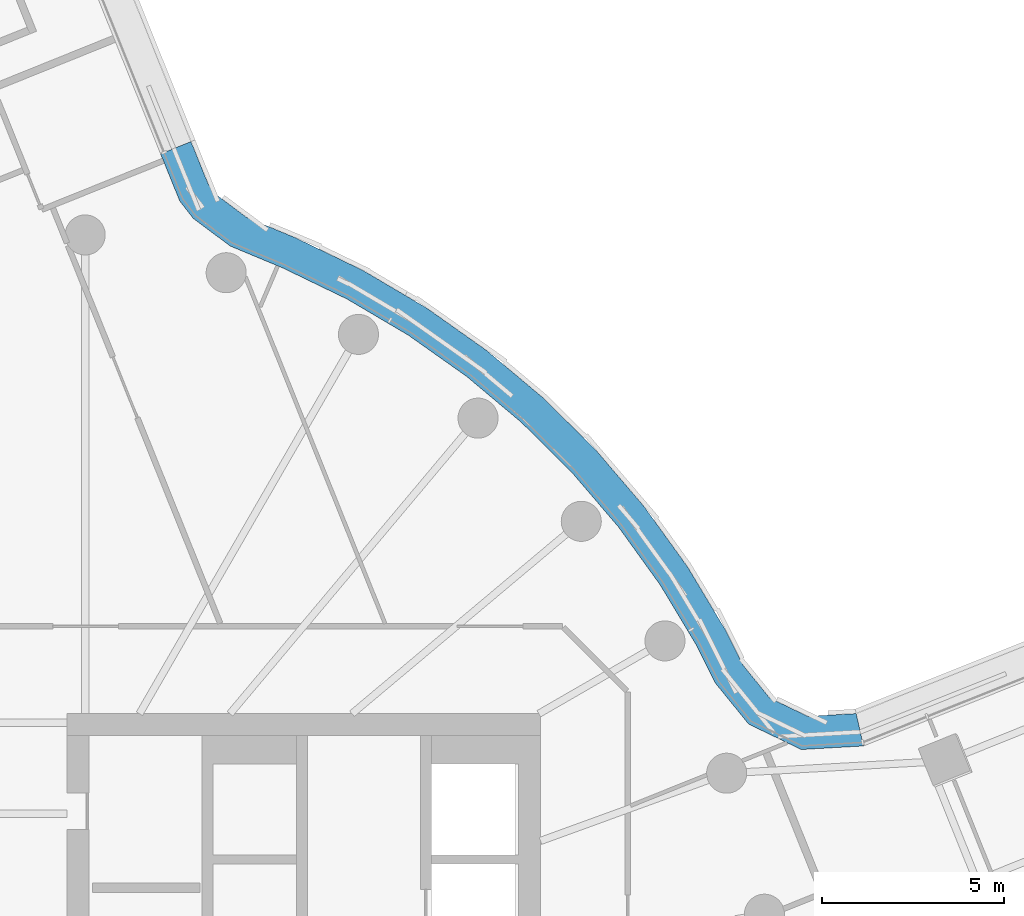
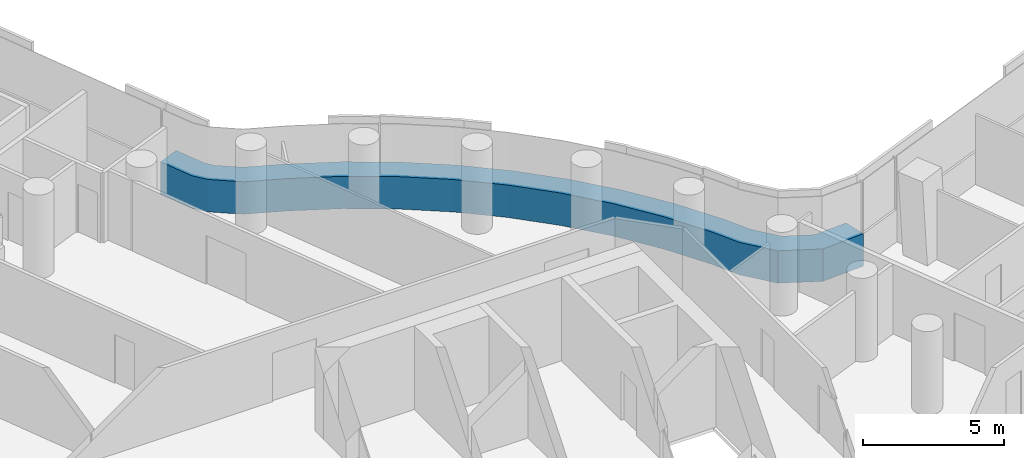
# One storey, part 16 of 32: 1 member, 1 element without a shape of its own.
"""IFC4 building model written with IfcOpenShell, lengths in metres."""

from ifc_helpers import new_model, si_unit, direction, frame, origin, place, context, subcontext, project, spatial, polyline, outline, extrude, material, layer, layer_set, type_object, element, aggregate, save


model = new_model("IFC4")

# Units and contexts
model_context = context("Model", 3, precision=1e-05, world=origin(), true_north=direction((0.0, 1.0)))
body_context = subcontext(model_context, "Body", "Model", "MODEL_VIEW")
ifc_project = project(units=[si_unit("LENGTHUNIT", "METRE"), si_unit("AREAUNIT", "SQUARE_METRE"), si_unit("VOLUMEUNIT", "CUBIC_METRE"), si_unit("PLANEANGLEUNIT", "RADIAN"), si_unit("MASSUNIT", "GRAM", prefix="KILO")], contexts=[model_context])

# Site, building, storey
site_placement = place(None, origin())
site = spatial("IfcSite", under=ifc_project, at=site_placement, CompositionType="ELEMENT")
building_placement = place(site_placement, origin())
building = spatial("IfcBuilding", under=site, at=building_placement, Name="Tamarind Cross Interchange Tower", CompositionType="ELEMENT")
storey_placement = place(building_placement, frame((0.0, 0.0, 113.5)))
storey = spatial("IfcBuildingStorey", under=building, at=storey_placement, Name="L27", CompositionType="ELEMENT", Elevation=113.5)

# Curtain wall, member
ifc_material_1 = material(Name="Aluminium 6063-T6", Category="aluminium")
ifc_layer = layer(ifc_material_1, 0.159912109375)
ifc_layer_set = layer_set([ifc_layer], Name="Aluminium 6063-T6")
curtain_wall_type = type_object("IfcCurtainWallType", Name="Office curtain wall, 9.0 m bays", PredefinedType="NOTDEFINED", material=ifc_layer_set)
curtain_wall_placement = place(storey_placement, origin())
curtain_wall = element("IfcCurtainWall", 1, at=curtain_wall_placement, inside=storey, type_object=curtain_wall_type, Name="CWS-L27-10", PredefinedType="NOTDEFINED")
ifc_material_2 = material(Name="Aluminium and insulated spandrel panel", Category="aluminium")
member_type = type_object("IfcMemberType", Name="Floor-edge blade transom", PredefinedType="USERDEFINED", material=ifc_material_2)
member_placement = place(storey_placement, origin())
member = element("IfcMember", 2, at=member_placement, type_object=member_type, Name="CWT-L27-10", ObjectType="TRANSOM", PredefinedType="USERDEFINED", context=body_context, shape_type="SweptSolid", body=[
    extrude(outline(polyline([(25.369384765625, 8.61376953125), (23.662109375, 8.516357421875), (22.218505859375, 9.212158203125), (21.302490234375, 10.34130859375), (20.791259765625, 11.366943359375), (19.78125, 13.045654296875), (18.636474609375, 14.634521484375), (17.3642578125, 16.12353515625), (15.973388671875, 17.50244140625), (14.4736328125, 18.76171875), (12.874755859375, 19.892822265625), (11.188232421875, 20.88818359375), (9.421142578125, 21.742431640625), (7.977783203125, 22.344970703125), (6.961181640625, 23.10400390625), (6.590576171875, 23.581787109375), (6.06396484375, 24.87744140625), (6.8984375, 25.215087890625), (7.377685546875, 24.035400390625), (7.597412109375, 23.752197265625), (8.42724609375, 23.132568359375), (9.790771484375, 22.5634765625), (11.613525390625, 21.68212890625), (13.3642578125, 20.64892578125), (15.023681640625, 19.474853515625), (16.580810546875, 18.167724609375), (18.0244140625, 16.736572265625), (19.344970703125, 15.19091796875), (20.533203125, 13.54150390625), (21.580810546875, 11.800537109375), (22.063720703125, 10.831298828125), (22.790771484375, 9.935546875), (23.84326171875, 9.42822265625), (25.171142578125, 9.50390625), (25.369384765625, 8.61376953125)])), origin(), (0.0, 0.0, 1.0), 1.39990234375),
])
aggregate(curtain_wall, [member])

save(model, "model.ifc")
